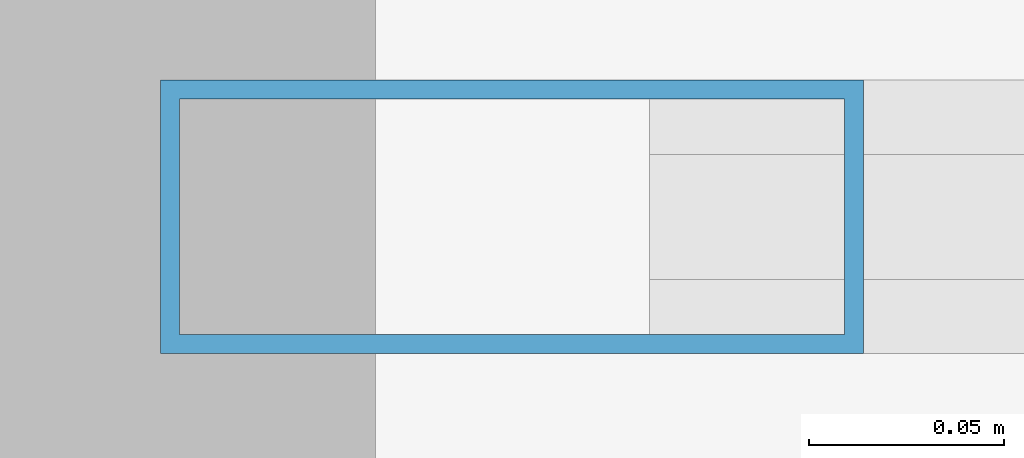
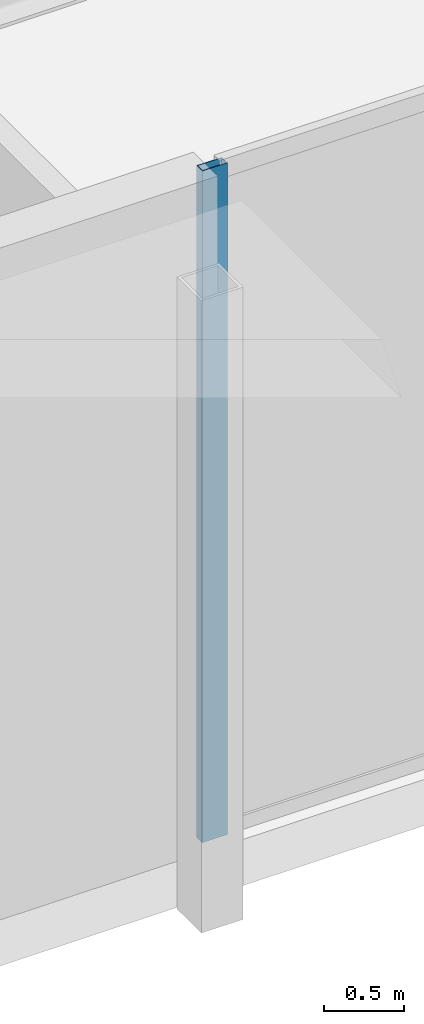
# One storey, part 6 of 28: 1 member, 1 element without a shape of its own.
"""IFC4 building model written with IfcOpenShell, lengths in metres."""

from ifc_helpers import new_model, si_unit, direction, frame, origin, origin_2d, place, context, subcontext, project, spatial, hollow_rectangle, extrude, source, transform, mapped, material, material_profile, profile_set, type_object, type_shapes, element, aggregate, save


model = new_model("IFC4")

# Units and contexts
model_context = context("Model", 3, precision=1e-05, world=origin(), true_north=direction((0.0, 1.0)))
body_context = subcontext(model_context, "Body", "Model", "MODEL_VIEW")
ifc_project = project(units=[si_unit("LENGTHUNIT", "METRE"), si_unit("AREAUNIT", "SQUARE_METRE"), si_unit("VOLUMEUNIT", "CUBIC_METRE"), si_unit("PLANEANGLEUNIT", "RADIAN"), si_unit("MASSUNIT", "GRAM", prefix="KILO")], contexts=[model_context])

# Site, building, storey
site_placement = place(None, origin())
site = spatial("IfcSite", under=ifc_project, at=site_placement, CompositionType="ELEMENT")
building_placement = place(site_placement, origin())
building = spatial("IfcBuilding", under=site, at=building_placement, Name="Krantzveldt Concourse Tower", CompositionType="ELEMENT")
storey_placement = place(building_placement, origin())
storey = spatial("IfcBuildingStorey", under=building, at=storey_placement, Name="L00", CompositionType="ELEMENT", Elevation=0.0)

# Curtain wall, member
ifc_material = material(Name="Anodised aluminium 6063-T6", Category="aluminium")
curtain_wall_type = type_object("IfcCurtainWallType", Name="CW1", PredefinedType="USERDEFINED", material=ifc_material)
curtain_wall_placement = place(storey_placement, origin())
curtain_wall = element("IfcCurtainWall", 1, at=curtain_wall_placement, inside=storey, type_object=curtain_wall_type, Name="CW-L00-SC1", ObjectType="UNITISED CURTAIN WALL", PredefinedType="USERDEFINED")
ifc_material_profile = material_profile(ifc_material, hollow_rectangle(XDim=0.070068359375, YDim=0.179931640625, WallThickness=0.0048828125, at=origin_2d()), Name="Anodised aluminium 6063-T6", Category="aluminium")
ifc_profile_set = profile_set([ifc_material_profile], Name="Anodised aluminium 6063-T6 - ALU-MULL 180x70x5")
member_type = type_object("IfcMemberType", Name="CW-MUL-180", PredefinedType="MULLION", material=ifc_profile_set)
shared_shape = source(origin(), body_context, "Body", "SweptSolid", [
    extrude(hollow_rectangle(XDim=0.070068359375, YDim=0.179931640625, WallThickness=0.0048828125, at=origin_2d()), origin(), (0.0, 0.0, 1.0), 5.10009765625),
])
type_shapes(member_type, [shared_shape])
member_placement = place(storey_placement, frame((16.034912109375, 0.429931640625, 0.0), z_axis=(0.0, 0.0, 1.0), x_axis=(0.0, 1.0, 0.0)))
member = element("IfcMember", 2, at=member_placement, type_object=member_type, Name="CW-POD mullion 1", PredefinedType="MULLION", context=body_context, shape_type="MappedRepresentation", body=[
    mapped(shared_shape, transform((0.0, 0.0, 0.0), x_axis=(1.0, 0.0, 0.0), y_axis=(0.0, 1.0, 0.0), z_axis=(0.0, 0.0, 1.0), scale=1.0)),
])
aggregate(curtain_wall, [member])

save(model, "model.ifc")
